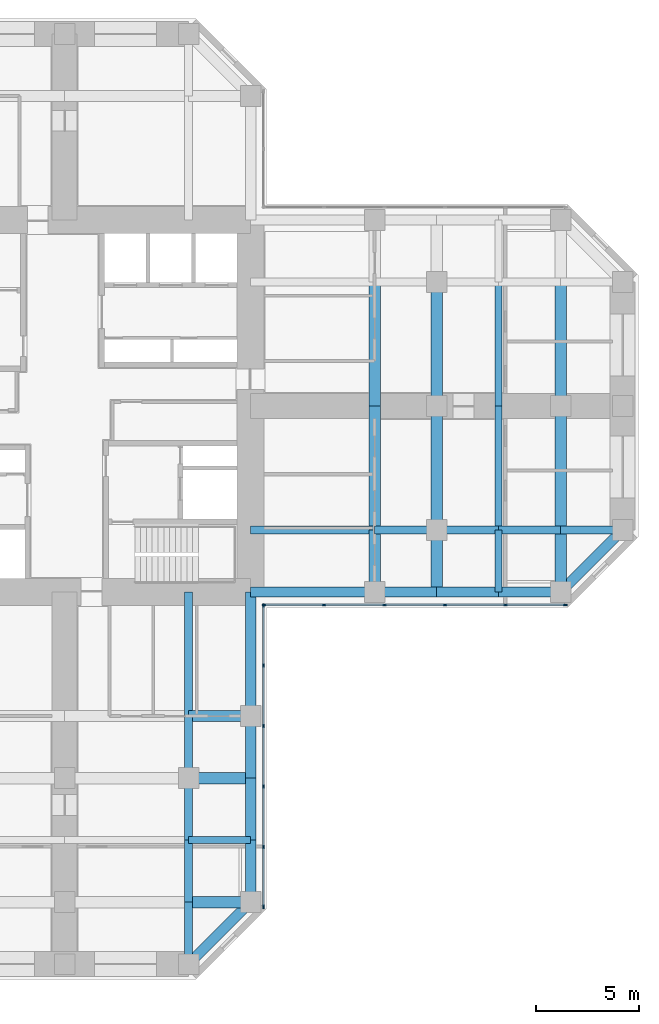
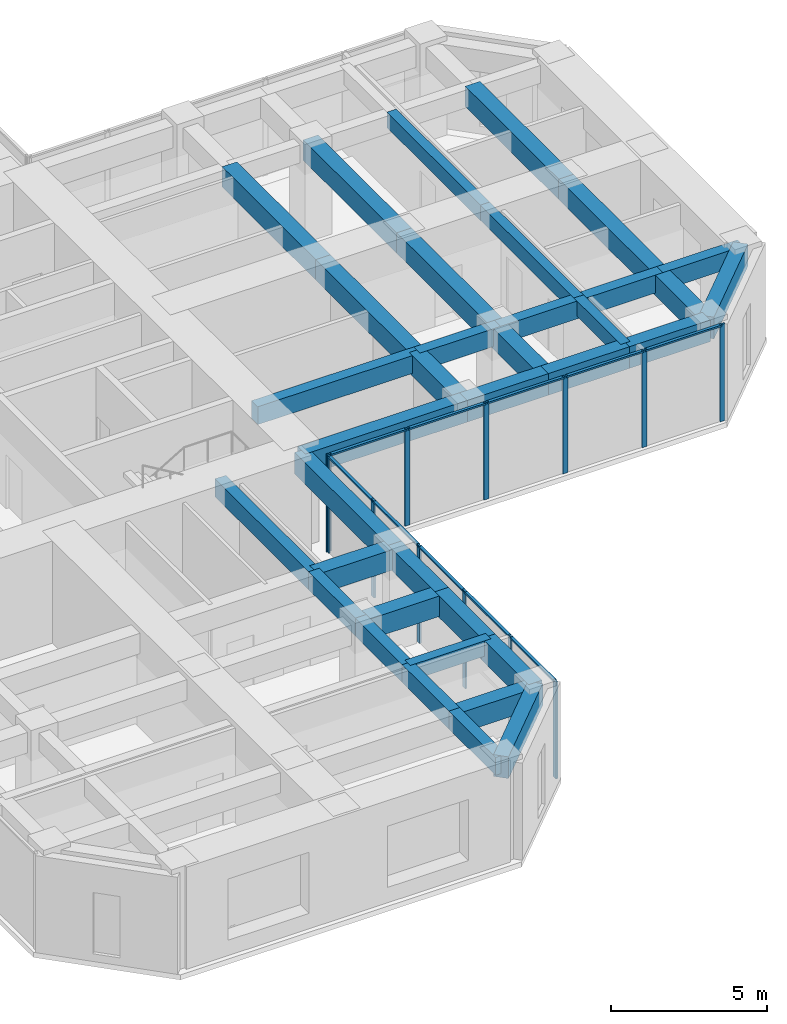
# One storey, part 4 of 13: 36 beams, 22 members, 2 elements without a shape of their own.
"""IFC4 building model written with IfcOpenShell, lengths in metres."""

from ifc_helpers import new_model, si_unit, direction, frame, origin, origin_2d, place, context, subcontext, project, spatial, rectangle, extrude, material, material_profile, profile_set, type_object, element, aggregate, save


model = new_model("IFC4")

# Units and contexts
model_context = context("Model", 3, precision=1e-05, world=origin(), true_north=direction((0.0, 1.0)))
body_context = subcontext(model_context, "Body", "Model", "MODEL_VIEW")
ifc_project = project(units=[si_unit("LENGTHUNIT", "METRE"), si_unit("AREAUNIT", "SQUARE_METRE"), si_unit("VOLUMEUNIT", "CUBIC_METRE"), si_unit("PLANEANGLEUNIT", "RADIAN"), si_unit("MASSUNIT", "GRAM", prefix="KILO")], contexts=[model_context])

# Site, building, storey
site_placement = place(None, origin())
site = spatial("IfcSite", under=ifc_project, at=site_placement, CompositionType="ELEMENT")
building_placement = place(site_placement, origin())
building = spatial("IfcBuilding", under=site, at=building_placement, Name="Torre Cruceta", CompositionType="ELEMENT")
storey_placement = place(building_placement, frame((0.0, 0.0, 128.5)))
storey = spatial("IfcBuildingStorey", under=building, at=storey_placement, Name="L31", CompositionType="ELEMENT", Elevation=128.5)

# Beams
ifc_material_1 = material(Name="Concrete G60 (fck 60 MPa)", Category="concrete")
ifc_material_profile_1 = material_profile(ifc_material_1, rectangle(XDim=0.39990234375, YDim=0.699951171875, at=origin_2d()), Name="RC 400X700")
ifc_profile_set_1 = profile_set([ifc_material_profile_1], Name="Concrete G60 (fck 60 MPa)")
beam_type_1 = type_object("IfcBeamType", Name="COLUMN LINE BEAM RC 400X700", PredefinedType="BEAM", material=ifc_profile_set_1)
beam_1_placement = place(storey_placement, frame((9.0, -6.0, 3.449951171875), z_axis=(1.0, 0.0, 0.0), x_axis=(0.0, 1.0, 0.0)))
element("IfcBeam", 1, at=beam_1_placement, inside=storey, type_object=beam_type_1, Name="LB5 L31 E col- 1", PredefinedType="BEAM", context=body_context, shape_type="SweptSolid", body=[
    extrude(rectangle(XDim=0.39990234375, YDim=0.699951171875, at=origin_2d()), origin(), (0.0, 0.0, 1.0), 6.0),
])
for number, where, z_axis, x_axis, name in (
    (2, (15.0, -6.0, 3.449951171875), (1.0, 0.0, 0.0), (0.0, 1.0, 0.0), "LB5 L31 E col- 2"),
    (3, (18.0, -6.0, 3.449951171875), (1.0, 0.0, 0.0), (0.0, 1.0, 0.0), "LB5 L31 E col- 3"),
    (4, (21.0, -6.0, 3.449951171875), (1.0, 0.0, 0.0), (0.0, 1.0, 0.0), "LB5 L31 E col- 4"),
    (5, (24.0, -6.0, 3.449951171875), (1.0, 0.0, 0.0), (0.0, 1.0, 0.0), "LB5 L31 E col- 5"),
):
    element("IfcBeam", number, at=place(storey_placement, frame(where, z_axis=z_axis, x_axis=x_axis)), inside=storey, type_object=beam_type_1, Name=name, PredefinedType="BEAM", context=body_context, shape_type="SweptSolid", body=[
        extrude(rectangle(XDim=0.39990234375, YDim=0.699951171875, at=origin_2d()), origin(), (0.0, 0.0, 1.0), 3.0),
    ])
beam_2_placement = place(storey_placement, frame((6.0, -9.0, 3.449951171875), z_axis=(0.0, -1.0, 0.0), x_axis=(1.0, 0.0, 0.0)))
element("IfcBeam", 6, at=beam_2_placement, inside=storey, type_object=beam_type_1, Name="LB5 L31 S col+ 1", PredefinedType="BEAM", context=body_context, shape_type="SweptSolid", body=[
    extrude(rectangle(XDim=0.39990234375, YDim=0.699951171875, at=origin_2d()), origin(), (0.0, 0.0, 1.0), 6.0),
])
for number, where, z_axis, x_axis, name in (
    (7, (6.0, -15.0, 3.449951171875), (0.0, -1.0, 0.0), (1.0, 0.0, 0.0), "LB5 L31 S col+ 2"),
    (8, (6.0, -18.0, 3.449951171875), (0.0, -1.0, 0.0), (1.0, 0.0, 0.0), "LB5 L31 S col+ 3"),
    (9, (6.0, -21.0, 3.449951171875), (0.0, -1.0, 0.0), (1.0, 0.0, 0.0), "LB5 L31 S col+ 4"),
    (10, (6.0, -24.0, 3.449951171875), (0.0, -1.0, 0.0), (1.0, 0.0, 0.0), "LB5 L31 S col+ 5"),
):
    element("IfcBeam", number, at=place(storey_placement, frame(where, z_axis=z_axis, x_axis=x_axis)), inside=storey, type_object=beam_type_1, Name=name, PredefinedType="BEAM", context=body_context, shape_type="SweptSolid", body=[
        extrude(rectangle(XDim=0.39990234375, YDim=0.699951171875, at=origin_2d()), origin(), (0.0, 0.0, 1.0), 3.0),
    ])
ifc_material_2 = material(Name="Concrete G60 (fck 60 MPa)", Category="concrete")
ifc_material_profile_2 = material_profile(ifc_material_2, rectangle(XDim=0.550048828125, YDim=0.800048828125, at=origin_2d()), Name="RC 550X800")
ifc_profile_set_2 = profile_set([ifc_material_profile_2], Name="Concrete G60 (fck 60 MPa)")
beam_type_2 = type_object("IfcBeamType", Name="CROSS BEAM RC 550X800", PredefinedType="BEAM", material=ifc_profile_set_2)
beam_3_placement = place(storey_placement, frame((15.0, -9.0, 3.39990234375), z_axis=(0.0, 1.0, 0.0), x_axis=(-1.0, 0.0, 0.0)))
element("IfcBeam", 11, at=beam_3_placement, inside=storey, type_object=beam_type_2, Name="GB5 L31 E cross15 1", PredefinedType="BEAM", context=body_context, shape_type="SweptSolid", body=[
    extrude(rectangle(XDim=0.550048828125, YDim=0.800048828125, at=origin_2d()), origin(), (0.0, 0.0, 1.0), 3.0),
])
for number, where, z_axis, x_axis, name in (
    (12, (15.0, -6.0, 3.39990234375), (0.0, 1.0, 0.0), (-1.0, 0.0, 0.0), "GB5 L31 E cross15 2"),
    (13, (15.0, 0.0, 3.39990234375), (0.0, 1.0, 0.0), (-1.0, 0.0, 0.0), "GB5 L31 E cross15 3"),
):
    element("IfcBeam", number, at=place(storey_placement, frame(where, z_axis=z_axis, x_axis=x_axis)), inside=storey, type_object=beam_type_2, Name=name, PredefinedType="BEAM", context=body_context, shape_type="SweptSolid", body=[
        extrude(rectangle(XDim=0.550048828125, YDim=0.800048828125, at=origin_2d()), origin(), (0.0, 0.0, 1.0), 6.0),
    ])
beam_4_placement = place(storey_placement, frame((18.0, -9.0, 3.39990234375), z_axis=(0.0, 1.0, 0.0), x_axis=(-1.0, 0.0, 0.0)))
element("IfcBeam", 14, at=beam_4_placement, inside=storey, type_object=beam_type_2, Name="GB5 L31 E cross18 1", PredefinedType="BEAM", context=body_context, shape_type="SweptSolid", body=[
    extrude(rectangle(XDim=0.550048828125, YDim=0.800048828125, at=origin_2d()), origin(), (0.0, 0.0, 1.0), 3.0),
])
for number, where, z_axis, x_axis, name in (
    (15, (18.0, -6.0, 3.39990234375), (0.0, 1.0, 0.0), (-1.0, 0.0, 0.0), "GB5 L31 E cross18 2"),
    (16, (18.0, 0.0, 3.39990234375), (0.0, 1.0, 0.0), (-1.0, 0.0, 0.0), "GB5 L31 E cross18 3"),
):
    element("IfcBeam", number, at=place(storey_placement, frame(where, z_axis=z_axis, x_axis=x_axis)), inside=storey, type_object=beam_type_2, Name=name, PredefinedType="BEAM", context=body_context, shape_type="SweptSolid", body=[
        extrude(rectangle(XDim=0.550048828125, YDim=0.800048828125, at=origin_2d()), origin(), (0.0, 0.0, 1.0), 6.0),
    ])
beam_5_placement = place(storey_placement, frame((24.0, -9.0, 3.39990234375), z_axis=(0.0, 1.0, 0.0), x_axis=(-1.0, 0.0, 0.0)))
element("IfcBeam", 17, at=beam_5_placement, inside=storey, type_object=beam_type_2, Name="GB5 L31 E cross24 1", PredefinedType="BEAM", context=body_context, shape_type="SweptSolid", body=[
    extrude(rectangle(XDim=0.550048828125, YDim=0.800048828125, at=origin_2d()), origin(), (0.0, 0.0, 1.0), 3.0),
])
for number, where, z_axis, x_axis, name in (
    (18, (24.0, -6.0, 3.39990234375), (0.0, 1.0, 0.0), (-1.0, 0.0, 0.0), "GB5 L31 E cross24 2"),
    (19, (24.0, 0.0, 3.39990234375), (0.0, 1.0, 0.0), (-1.0, 0.0, 0.0), "GB5 L31 E cross24 3"),
):
    element("IfcBeam", number, at=place(storey_placement, frame(where, z_axis=z_axis, x_axis=x_axis)), inside=storey, type_object=beam_type_2, Name=name, PredefinedType="BEAM", context=body_context, shape_type="SweptSolid", body=[
        extrude(rectangle(XDim=0.550048828125, YDim=0.800048828125, at=origin_2d()), origin(), (0.0, 0.0, 1.0), 6.0),
    ])
for number, where, z_axis, x_axis, name in (
    (20, (6.0, -15.0, 3.39990234375), (1.0, 0.0, 0.0), (0.0, 1.0, 0.0), "GB5 L31 S cross15 4"),
    (21, (6.0, -18.0, 3.39990234375), (1.0, 0.0, 0.0), (0.0, 1.0, 0.0), "GB5 L31 S cross18 4"),
    (22, (6.0, -24.0, 3.39990234375), (1.0, 0.0, 0.0), (0.0, 1.0, 0.0), "GB5 L31 S cross24 4"),
):
    element("IfcBeam", number, at=place(storey_placement, frame(where, z_axis=z_axis, x_axis=x_axis)), inside=storey, type_object=beam_type_2, Name=name, PredefinedType="BEAM", context=body_context, shape_type="SweptSolid", body=[
        extrude(rectangle(XDim=0.550048828125, YDim=0.800048828125, at=origin_2d()), origin(), (0.0, 0.0, 1.0), 3.0),
    ])

# Curtain wall, members
ifc_material_3 = material(Name="Aluminium unitised curtain wall", Category="aluminium")
curtain_wall_type = type_object("IfcCurtainWallType", Name="CURTAIN WALL CW-B OFFICE MID RISE", PredefinedType="USERDEFINED", material=ifc_material_3)
curtain_wall_1_placement = place(storey_placement, origin())
curtain_wall_1 = element("IfcCurtainWall", 23, at=curtain_wall_1_placement, inside=storey, type_object=curtain_wall_type, Name="CW-B L31 E side 00", ObjectType="UNITISED", PredefinedType="USERDEFINED")
ifc_material_4 = material(Name="Aluminium mullion", Category="aluminium")
ifc_material_profile_3 = material_profile(ifc_material_4, rectangle(XDim=0.06494140625, YDim=0.179931640625, at=origin_2d()), Name="AL 65X180")
ifc_profile_set_3 = profile_set([ifc_material_profile_3], Name="Aluminium mullion")
member_type_1 = type_object("IfcMemberType", Name="CW-B MULLION 65X180", PredefinedType="MULLION", material=ifc_profile_set_3)
member_1_placement = place(storey_placement, frame((9.652587890625, -9.6201171875, 0.0), z_axis=(0.0, 0.0, 1.0), x_axis=(0.0, 1.0, 0.0)))
member_1 = element("IfcMember", 24, at=member_1_placement, type_object=member_type_1, Name="CW-B mullion 1", PredefinedType="MULLION", context=body_context, shape_type="SweptSolid", body=[
    extrude(rectangle(XDim=0.06494140625, YDim=0.179931640625, at=origin_2d()), origin(), (0.0, 0.0, 1.0), 3.800048828125),
])
member_2_placement = place(storey_placement, frame((12.54736328125, -9.6201171875, 0.0), z_axis=(0.0, 0.0, 1.0), x_axis=(0.0, 1.0, 0.0)))
member_2 = element("IfcMember", 25, at=member_2_placement, type_object=member_type_1, Name="CW-B mullion 2", PredefinedType="MULLION", context=body_context, shape_type="SweptSolid", body=[
    extrude(rectangle(XDim=0.06494140625, YDim=0.179931640625, at=origin_2d()), origin(), (0.0, 0.0, 1.0), 3.800048828125),
])
member_3_placement = place(storey_placement, frame((15.474609375, -9.6201171875, 0.0), z_axis=(0.0, 0.0, 1.0), x_axis=(0.0, 1.0, 0.0)))
member_3 = element("IfcMember", 26, at=member_3_placement, type_object=member_type_1, Name="CW-B mullion 3", PredefinedType="MULLION", context=body_context, shape_type="SweptSolid", body=[
    extrude(rectangle(XDim=0.06494140625, YDim=0.179931640625, at=origin_2d()), origin(), (0.0, 0.0, 1.0), 3.800048828125),
])
member_4_placement = place(storey_placement, frame((18.402099609375, -9.6201171875, 0.0), z_axis=(0.0, 0.0, 1.0), x_axis=(0.0, 1.0, 0.0)))
member_4 = element("IfcMember", 27, at=member_4_placement, type_object=member_type_1, Name="CW-B mullion 4", PredefinedType="MULLION", context=body_context, shape_type="SweptSolid", body=[
    extrude(rectangle(XDim=0.06494140625, YDim=0.179931640625, at=origin_2d()), origin(), (0.0, 0.0, 1.0), 3.800048828125),
])
member_5_placement = place(storey_placement, frame((21.329345703125, -9.6201171875, 0.0), z_axis=(0.0, 0.0, 1.0), x_axis=(0.0, 1.0, 0.0)))
member_5 = element("IfcMember", 28, at=member_5_placement, type_object=member_type_1, Name="CW-B mullion 5", PredefinedType="MULLION", context=body_context, shape_type="SweptSolid", body=[
    extrude(rectangle(XDim=0.06494140625, YDim=0.179931640625, at=origin_2d()), origin(), (0.0, 0.0, 1.0), 3.800048828125),
])
member_6_placement = place(storey_placement, frame((24.224365234375, -9.6201171875, 0.0), z_axis=(0.0, 0.0, 1.0), x_axis=(0.0, 1.0, 0.0)))
member_6 = element("IfcMember", 29, at=member_6_placement, type_object=member_type_1, Name="CW-B mullion 6", PredefinedType="MULLION", context=body_context, shape_type="SweptSolid", body=[
    extrude(rectangle(XDim=0.06494140625, YDim=0.179931640625, at=origin_2d()), origin(), (0.0, 0.0, 1.0), 3.800048828125),
])

curtain_wall_2_placement = place(storey_placement, origin())
curtain_wall_2 = element("IfcCurtainWall", 30, at=curtain_wall_2_placement, inside=storey, type_object=curtain_wall_type, Name="CW-B L31 S side 19", ObjectType="UNITISED", PredefinedType="USERDEFINED")
member_7_placement = place(storey_placement, frame((9.6201171875, -24.224365234375, 0.0), z_axis=(0.0, 0.0, 1.0), x_axis=(-1.0, 0.0, 0.0)))
member_7 = element("IfcMember", 31, at=member_7_placement, type_object=member_type_1, Name="CW-B mullion 1", PredefinedType="MULLION", context=body_context, shape_type="SweptSolid", body=[
    extrude(rectangle(XDim=0.06494140625, YDim=0.179931640625, at=origin_2d()), origin(), (0.0, 0.0, 1.0), 3.800048828125),
])
member_8_placement = place(storey_placement, frame((9.6201171875, -21.329345703125, 0.0), z_axis=(0.0, 0.0, 1.0), x_axis=(-1.0, 0.0, 0.0)))
member_8 = element("IfcMember", 32, at=member_8_placement, type_object=member_type_1, Name="CW-B mullion 2", PredefinedType="MULLION", context=body_context, shape_type="SweptSolid", body=[
    extrude(rectangle(XDim=0.06494140625, YDim=0.179931640625, at=origin_2d()), origin(), (0.0, 0.0, 1.0), 3.800048828125),
])
member_9_placement = place(storey_placement, frame((9.6201171875, -18.402099609375, 0.0), z_axis=(0.0, 0.0, 1.0), x_axis=(-1.0, 0.0, 0.0)))
member_9 = element("IfcMember", 33, at=member_9_placement, type_object=member_type_1, Name="CW-B mullion 3", PredefinedType="MULLION", context=body_context, shape_type="SweptSolid", body=[
    extrude(rectangle(XDim=0.06494140625, YDim=0.179931640625, at=origin_2d()), origin(), (0.0, 0.0, 1.0), 3.800048828125),
])
member_10_placement = place(storey_placement, frame((9.6201171875, -15.474609375, 0.0), z_axis=(0.0, 0.0, 1.0), x_axis=(-1.0, 0.0, 0.0)))
member_10 = element("IfcMember", 34, at=member_10_placement, type_object=member_type_1, Name="CW-B mullion 4", PredefinedType="MULLION", context=body_context, shape_type="SweptSolid", body=[
    extrude(rectangle(XDim=0.06494140625, YDim=0.179931640625, at=origin_2d()), origin(), (0.0, 0.0, 1.0), 3.800048828125),
])
member_11_placement = place(storey_placement, frame((9.6201171875, -12.54736328125, 0.0), z_axis=(0.0, 0.0, 1.0), x_axis=(-1.0, 0.0, 0.0)))
member_11 = element("IfcMember", 35, at=member_11_placement, type_object=member_type_1, Name="CW-B mullion 5", PredefinedType="MULLION", context=body_context, shape_type="SweptSolid", body=[
    extrude(rectangle(XDim=0.06494140625, YDim=0.179931640625, at=origin_2d()), origin(), (0.0, 0.0, 1.0), 3.800048828125),
])
member_12_placement = place(storey_placement, frame((9.6201171875, -9.652587890625, 0.0), z_axis=(0.0, 0.0, 1.0), x_axis=(-1.0, 0.0, 0.0)))
member_12 = element("IfcMember", 36, at=member_12_placement, type_object=member_type_1, Name="CW-B mullion 6", PredefinedType="MULLION", context=body_context, shape_type="SweptSolid", body=[
    extrude(rectangle(XDim=0.06494140625, YDim=0.179931640625, at=origin_2d()), origin(), (0.0, 0.0, 1.0), 3.800048828125),
])

# Member
ifc_material_5 = material(Name="Aluminium transom", Category="aluminium")
ifc_material_profile_4 = material_profile(ifc_material_5, rectangle(XDim=0.110107421875, YDim=0.06494140625, at=origin_2d()), Name="AL 110X65")
ifc_profile_set_4 = profile_set([ifc_material_profile_4], Name="Aluminium transom")
member_type_2 = type_object("IfcMemberType", Name="CW-B TRANSOM 65X110", PredefinedType="USERDEFINED", material=ifc_profile_set_4)
member_13_placement = place(storey_placement, frame((9.68505859375, -9.6201171875, 3.767578125), z_axis=(1.0, 0.0, 0.0), x_axis=(0.0, 1.0, 0.0)))
member_13 = element("IfcMember", 37, at=member_13_placement, type_object=member_type_2, Name="CW-B transom 1", ObjectType="TRANSOM", PredefinedType="USERDEFINED", context=body_context, shape_type="SweptSolid", body=[
    extrude(rectangle(XDim=0.110107421875, YDim=0.06494140625, at=origin_2d()), origin(), (0.0, 0.0, 1.0), 2.829833984375),
])

member_14_placement = place(storey_placement, frame((12.579833984375, -9.6201171875, 3.767578125), z_axis=(1.0, 0.0, 0.0), x_axis=(0.0, 1.0, 0.0)))
member_14 = element("IfcMember", 38, at=member_14_placement, type_object=member_type_2, Name="CW-B transom 2", ObjectType="TRANSOM", PredefinedType="USERDEFINED", context=body_context, shape_type="SweptSolid", body=[
    extrude(rectangle(XDim=0.110107421875, YDim=0.06494140625, at=origin_2d()), origin(), (0.0, 0.0, 1.0), 2.8623046875),
])

member_15_placement = place(storey_placement, frame((15.50732421875, -9.6201171875, 3.767578125), z_axis=(1.0, 0.0, 0.0), x_axis=(0.0, 1.0, 0.0)))
member_15 = element("IfcMember", 39, at=member_15_placement, type_object=member_type_2, Name="CW-B transom 3", ObjectType="TRANSOM", PredefinedType="USERDEFINED", context=body_context, shape_type="SweptSolid", body=[
    extrude(rectangle(XDim=0.110107421875, YDim=0.06494140625, at=origin_2d()), origin(), (0.0, 0.0, 1.0), 2.8623046875),
])

member_16_placement = place(storey_placement, frame((18.4345703125, -9.6201171875, 3.767578125), z_axis=(1.0, 0.0, 0.0), x_axis=(0.0, 1.0, 0.0)))
member_16 = element("IfcMember", 40, at=member_16_placement, type_object=member_type_2, Name="CW-B transom 4", ObjectType="TRANSOM", PredefinedType="USERDEFINED", context=body_context, shape_type="SweptSolid", body=[
    extrude(rectangle(XDim=0.110107421875, YDim=0.06494140625, at=origin_2d()), origin(), (0.0, 0.0, 1.0), 2.8623046875),
])

member_17_placement = place(storey_placement, frame((21.362060546875, -9.6201171875, 3.767578125), z_axis=(1.0, 0.0, 0.0), x_axis=(0.0, 1.0, 0.0)))
member_17 = element("IfcMember", 41, at=member_17_placement, type_object=member_type_2, Name="CW-B transom 5", ObjectType="TRANSOM", PredefinedType="USERDEFINED", context=body_context, shape_type="SweptSolid", body=[
    extrude(rectangle(XDim=0.110107421875, YDim=0.06494140625, at=origin_2d()), origin(), (0.0, 0.0, 1.0), 2.829833984375),
])

aggregate(curtain_wall_1, [member_1, member_2, member_3, member_4, member_5, member_6, member_13, member_14, member_15, member_16, member_17])

member_18_placement = place(storey_placement, frame((9.6201171875, -24.19189453125, 3.767578125), z_axis=(0.0, 1.0, 0.0), x_axis=(-1.0, 0.0, 0.0)))
member_18 = element("IfcMember", 42, at=member_18_placement, type_object=member_type_2, Name="CW-B transom 1", ObjectType="TRANSOM", PredefinedType="USERDEFINED", context=body_context, shape_type="SweptSolid", body=[
    extrude(rectangle(XDim=0.110107421875, YDim=0.06494140625, at=origin_2d()), origin(), (0.0, 0.0, 1.0), 2.829833984375),
])

member_19_placement = place(storey_placement, frame((9.6201171875, -21.296875, 3.767578125), z_axis=(0.0, 1.0, 0.0), x_axis=(-1.0, 0.0, 0.0)))
member_19 = element("IfcMember", 43, at=member_19_placement, type_object=member_type_2, Name="CW-B transom 2", ObjectType="TRANSOM", PredefinedType="USERDEFINED", context=body_context, shape_type="SweptSolid", body=[
    extrude(rectangle(XDim=0.110107421875, YDim=0.06494140625, at=origin_2d()), origin(), (0.0, 0.0, 1.0), 2.8623046875),
])

member_20_placement = place(storey_placement, frame((9.6201171875, -18.36962890625, 3.767578125), z_axis=(0.0, 1.0, 0.0), x_axis=(-1.0, 0.0, 0.0)))
member_20 = element("IfcMember", 44, at=member_20_placement, type_object=member_type_2, Name="CW-B transom 3", ObjectType="TRANSOM", PredefinedType="USERDEFINED", context=body_context, shape_type="SweptSolid", body=[
    extrude(rectangle(XDim=0.110107421875, YDim=0.06494140625, at=origin_2d()), origin(), (0.0, 0.0, 1.0), 2.8623046875),
])

member_21_placement = place(storey_placement, frame((9.6201171875, -15.442138671875, 3.767578125), z_axis=(0.0, 1.0, 0.0), x_axis=(-1.0, 0.0, 0.0)))
member_21 = element("IfcMember", 45, at=member_21_placement, type_object=member_type_2, Name="CW-B transom 4", ObjectType="TRANSOM", PredefinedType="USERDEFINED", context=body_context, shape_type="SweptSolid", body=[
    extrude(rectangle(XDim=0.110107421875, YDim=0.06494140625, at=origin_2d()), origin(), (0.0, 0.0, 1.0), 2.8623046875),
])

member_22_placement = place(storey_placement, frame((9.6201171875, -12.514892578125, 3.767578125), z_axis=(0.0, 1.0, 0.0), x_axis=(-1.0, 0.0, 0.0)))
member_22 = element("IfcMember", 46, at=member_22_placement, type_object=member_type_2, Name="CW-B transom 5", ObjectType="TRANSOM", PredefinedType="USERDEFINED", context=body_context, shape_type="SweptSolid", body=[
    extrude(rectangle(XDim=0.110107421875, YDim=0.06494140625, at=origin_2d()), origin(), (0.0, 0.0, 1.0), 2.829833984375),
])

aggregate(curtain_wall_2, [member_7, member_8, member_9, member_10, member_11, member_12, member_18, member_19, member_20, member_21, member_22])

# Beams
ifc_material_6 = material(Name="Concrete G60 (fck 60 MPa)", Category="concrete")
ifc_material_profile_5 = material_profile(ifc_material_6, rectangle(XDim=0.35009765625, YDim=0.60009765625, at=origin_2d()), Name="RC 350X600")
ifc_profile_set_5 = profile_set([ifc_material_profile_5], Name="Concrete G60 (fck 60 MPa)")
beam_type_3 = type_object("IfcBeamType", Name="SECONDARY BEAM RC 350X600", PredefinedType="JOIST", material=ifc_profile_set_5)
beam_6_placement = place(storey_placement, frame((21.0, -9.0, 3.5), z_axis=(0.0, 1.0, 0.0), x_axis=(-1.0, 0.0, 0.0)))
element("IfcBeam", 47, at=beam_6_placement, inside=storey, type_object=beam_type_3, Name="JB5 L31 E sec21 1", PredefinedType="JOIST", context=body_context, shape_type="SweptSolid", body=[
    extrude(rectangle(XDim=0.35009765625, YDim=0.60009765625, at=origin_2d()), origin(), (0.0, 0.0, 1.0), 3.0),
])
for number, where, z_axis, x_axis, name in (
    (48, (21.0, -6.0, 3.5), (0.0, 1.0, 0.0), (-1.0, 0.0, 0.0), "JB5 L31 E sec21 2"),
    (49, (21.0, 0.0, 3.5), (0.0, 1.0, 0.0), (-1.0, 0.0, 0.0), "JB5 L31 E sec21 3"),
):
    element("IfcBeam", number, at=place(storey_placement, frame(where, z_axis=z_axis, x_axis=x_axis)), inside=storey, type_object=beam_type_3, Name=name, PredefinedType="JOIST", context=body_context, shape_type="SweptSolid", body=[
        extrude(rectangle(XDim=0.35009765625, YDim=0.60009765625, at=origin_2d()), origin(), (0.0, 0.0, 1.0), 6.0),
    ])
beam_7_placement = place(storey_placement, frame((6.0, -21.0, 3.5), z_axis=(1.0, 0.0, 0.0), x_axis=(0.0, 1.0, 0.0)))
element("IfcBeam", 50, at=beam_7_placement, inside=storey, type_object=beam_type_3, Name="JB5 L31 S sec21 4", PredefinedType="JOIST", context=body_context, shape_type="SweptSolid", body=[
    extrude(rectangle(XDim=0.35009765625, YDim=0.60009765625, at=origin_2d()), origin(), (0.0, 0.0, 1.0), 3.0),
])
ifc_material_7 = material(Name="Concrete G60 (fck 60 MPa)", Category="concrete")
ifc_material_profile_6 = material_profile(ifc_material_7, rectangle(XDim=0.5, YDim=0.85009765625, at=origin_2d()), Name="RC 500X850")
ifc_profile_set_6 = profile_set([ifc_material_profile_6], Name="Concrete G60 (fck 60 MPa)")
beam_type_4 = type_object("IfcBeamType", Name="SPANDREL BEAM RC 500X850", PredefinedType="SPANDREL", material=ifc_profile_set_6)
beam_8_placement = place(storey_placement, frame((9.0, -9.0, 3.375), z_axis=(1.0, 0.0, 0.0), x_axis=(0.0, 1.0, 0.0)))
element("IfcBeam", 51, at=beam_8_placement, inside=storey, type_object=beam_type_4, Name="SB5 L31 E side- 1", PredefinedType="SPANDREL", context=body_context, shape_type="SweptSolid", body=[
    extrude(rectangle(XDim=0.5, YDim=0.85009765625, at=origin_2d()), origin(), (0.0, 0.0, 1.0), 6.0),
])
for number, where, z_axis, x_axis, name in (
    (52, (15.0, -9.0, 3.375), (1.0, 0.0, 0.0), (0.0, 1.0, 0.0), "SB5 L31 E side- 2"),
    (53, (18.0, -9.0, 3.375), (1.0, 0.0, 0.0), (0.0, 1.0, 0.0), "SB5 L31 E side- 3"),
    (54, (21.0, -9.0, 3.375), (1.0, 0.0, 0.0), (0.0, 1.0, 0.0), "SB5 L31 E side- 4"),
):
    element("IfcBeam", number, at=place(storey_placement, frame(where, z_axis=z_axis, x_axis=x_axis)), inside=storey, type_object=beam_type_4, Name=name, PredefinedType="SPANDREL", context=body_context, shape_type="SweptSolid", body=[
        extrude(rectangle(XDim=0.5, YDim=0.85009765625, at=origin_2d()), origin(), (0.0, 0.0, 1.0), 3.0),
    ])
beam_9_placement = place(storey_placement, frame((24.0, -9.0, 3.375), z_axis=(0.707106781187, 0.707106781187, 0.0), x_axis=(-0.707106781187, 0.707106781187, 0.0)))
element("IfcBeam", 55, at=beam_9_placement, inside=storey, type_object=beam_type_4, Name="SB5 L31 E side- 5", PredefinedType="SPANDREL", context=body_context, shape_type="SweptSolid", body=[
    extrude(rectangle(XDim=0.5, YDim=0.85009765625, at=origin_2d()), origin(), (0.0, 0.0, 1.0), 4.24267578125),
])
beam_10_placement = place(storey_placement, frame((9.0, -9.0, 3.375), z_axis=(0.0, -1.0, 0.0), x_axis=(1.0, 0.0, 0.0)))
element("IfcBeam", 56, at=beam_10_placement, inside=storey, type_object=beam_type_4, Name="SB5 L31 S side+ 1", PredefinedType="SPANDREL", context=body_context, shape_type="SweptSolid", body=[
    extrude(rectangle(XDim=0.5, YDim=0.85009765625, at=origin_2d()), origin(), (0.0, 0.0, 1.0), 6.0),
])
for number, where, z_axis, x_axis, name in (
    (57, (9.0, -15.0, 3.375), (0.0, -1.0, 0.0), (1.0, 0.0, 0.0), "SB5 L31 S side+ 2"),
    (58, (9.0, -18.0, 3.375), (0.0, -1.0, 0.0), (1.0, 0.0, 0.0), "SB5 L31 S side+ 3"),
    (59, (9.0, -21.0, 3.375), (0.0, -1.0, 0.0), (1.0, 0.0, 0.0), "SB5 L31 S side+ 4"),
):
    element("IfcBeam", number, at=place(storey_placement, frame(where, z_axis=z_axis, x_axis=x_axis)), inside=storey, type_object=beam_type_4, Name=name, PredefinedType="SPANDREL", context=body_context, shape_type="SweptSolid", body=[
        extrude(rectangle(XDim=0.5, YDim=0.85009765625, at=origin_2d()), origin(), (0.0, 0.0, 1.0), 3.0),
    ])
beam_11_placement = place(storey_placement, frame((9.0, -24.0, 3.375), z_axis=(-0.707106781187, -0.707106781187, 0.0), x_axis=(0.707106781187, -0.707106781187, 0.0)))
element("IfcBeam", 60, at=beam_11_placement, inside=storey, type_object=beam_type_4, Name="SB5 L31 S side+ 5", PredefinedType="SPANDREL", context=body_context, shape_type="SweptSolid", body=[
    extrude(rectangle(XDim=0.5, YDim=0.85009765625, at=origin_2d()), origin(), (0.0, 0.0, 1.0), 4.24267578125),
])

save(model, "model.ifc")
